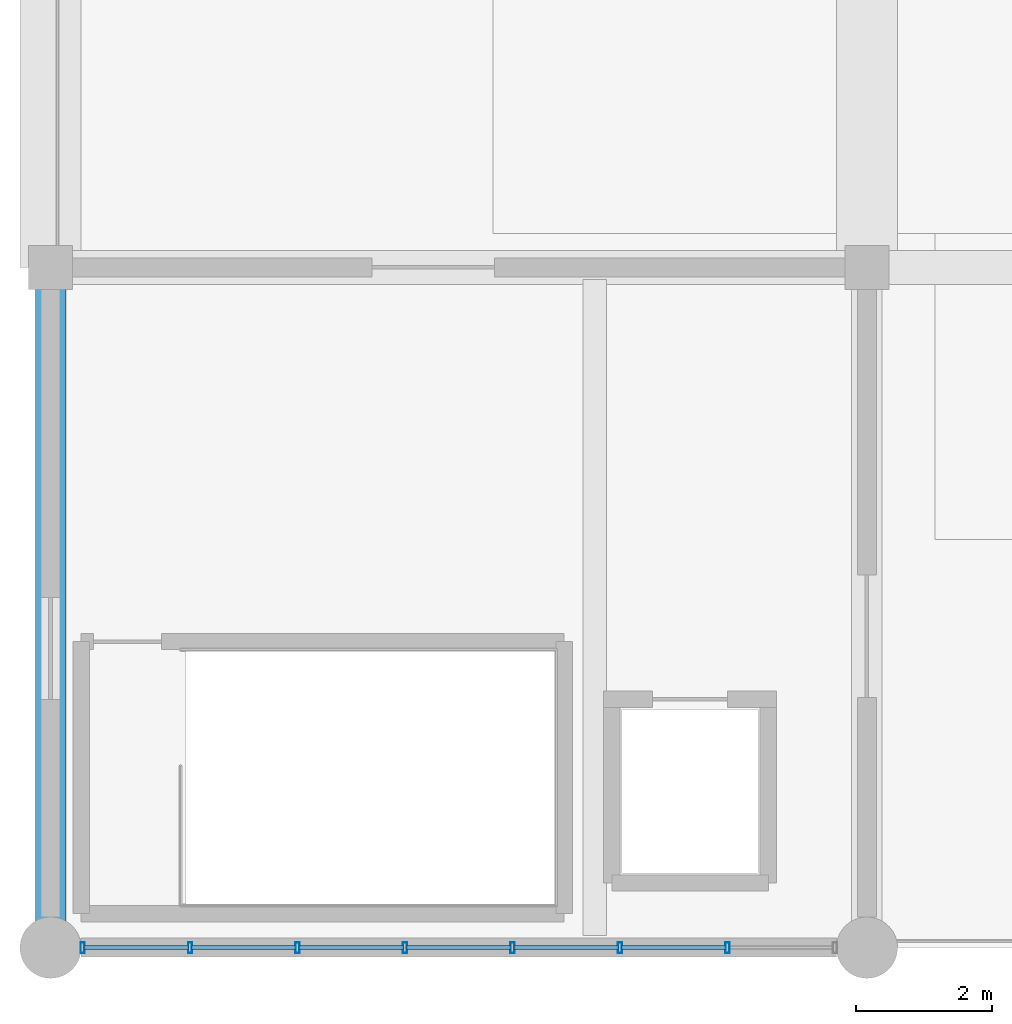
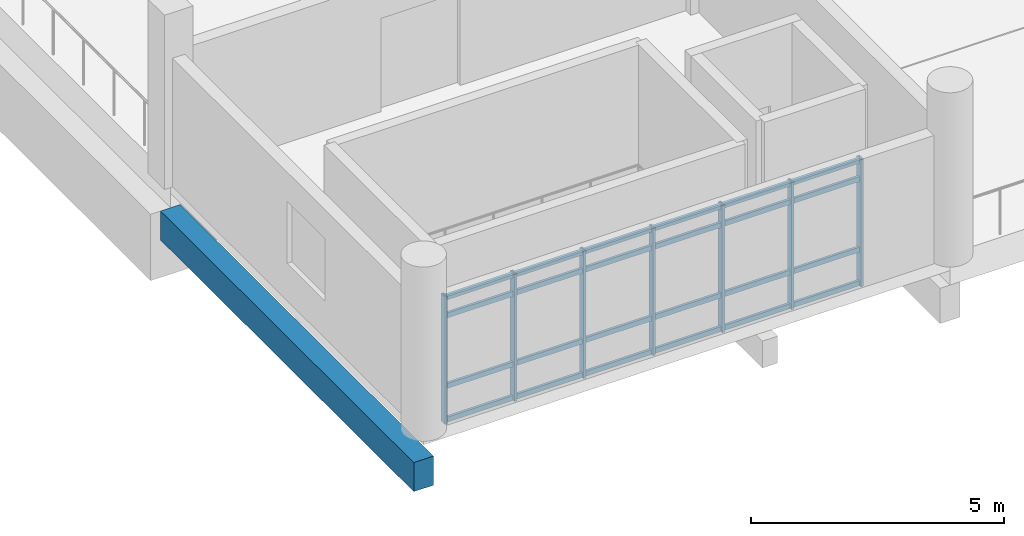
# One storey, part 5 of 111: 31 members, 1 beam, 1 element without a shape of its own.
"""IFC4 building model written with IfcOpenShell, lengths in metres."""

from ifc_helpers import new_model, si_unit, direction, frame, origin, origin_2d, place, context, subcontext, project, spatial, rectangle, hollow_rectangle, extrude, material, layer, layer_set, material_profile, profile_set, type_object, element, aggregate, save


model = new_model("IFC4")

# Units and contexts
model_context = context("Model", 3, precision=1e-05, world=origin(), true_north=direction((0.0, 1.0)))
body_context = subcontext(model_context, "Body", "Model", "MODEL_VIEW")
ifc_project = project(units=[si_unit("LENGTHUNIT", "METRE"), si_unit("AREAUNIT", "SQUARE_METRE"), si_unit("VOLUMEUNIT", "CUBIC_METRE"), si_unit("PLANEANGLEUNIT", "RADIAN"), si_unit("MASSUNIT", "GRAM", prefix="KILO")], contexts=[model_context])

# Site, building, storey
site_placement = place(None, origin())
site = spatial("IfcSite", under=ifc_project, at=site_placement, CompositionType="ELEMENT")
building_placement = place(site_placement, origin())
building = spatial("IfcBuilding", under=site, at=building_placement, Name="Mersad Railyard Sports Hall", CompositionType="ELEMENT")
storey_placement = place(building_placement, frame((0.0, 0.0, 9.0)))
storey = spatial("IfcBuildingStorey", under=building, at=storey_placement, Name="L02", CompositionType="ELEMENT", Elevation=9.0)

# Curtain wall, members
ifc_material_1 = material(Name="Aluminium 6063-T6", Category="aluminium")
ifc_layer = layer(ifc_material_1, 0.159912109375)
ifc_layer_set = layer_set([ifc_layer], Name="Aluminium 6063-T6")
curtain_wall_type = type_object("IfcCurtainWallType", Name="ARC-CW-CW06", PredefinedType="USERDEFINED", material=ifc_layer_set)
curtain_wall_placement = place(storey_placement, origin())
curtain_wall = element("IfcCurtainWall", 1, at=curtain_wall_placement, inside=storey, type_object=curtain_wall_type, Name="Curtain wall CW06-0029", ObjectType="CURTAIN WALL", PredefinedType="USERDEFINED")
ifc_material_profile_1 = material_profile(ifc_material_1, hollow_rectangle(XDim=0.06005859375, YDim=0.159912109375, WallThickness=0.00390625, at=origin_2d()), Name="AL MULLION 60x160x4")
ifc_profile_set_1 = profile_set([ifc_material_profile_1], Name="Aluminium 6063-T6")
member_type_1 = type_object("IfcMemberType", Name="ARC-CW-MUL01", PredefinedType="MULLION", material=ifc_profile_set_1)
member_1_placement = place(storey_placement, frame((16.949951171875, 3.5, -0.02001953125), z_axis=(0.0, 0.0, 1.0), x_axis=(1.0, 0.0, 0.0)))
member_1 = element("IfcMember", 2, at=member_1_placement, type_object=member_type_1, Name="CW06 Mullion 2", PredefinedType="MULLION", context=body_context, shape_type="SweptSolid", body=[
    extrude(hollow_rectangle(XDim=0.06005859375, YDim=0.159912109375, WallThickness=0.00390625, at=origin_2d()), origin(), (0.0, 0.0, 1.0), 3.070068359375),
])
member_2_placement = place(storey_placement, frame((15.3701171875, 3.5, -0.02001953125), z_axis=(0.0, 0.0, 1.0), x_axis=(1.0, 0.0, 0.0)))
member_2 = element("IfcMember", 3, at=member_2_placement, type_object=member_type_1, Name="CW06 Mullion 3", PredefinedType="MULLION", context=body_context, shape_type="SweptSolid", body=[
    extrude(hollow_rectangle(XDim=0.06005859375, YDim=0.159912109375, WallThickness=0.00390625, at=origin_2d()), origin(), (0.0, 0.0, 1.0), 3.070068359375),
])
member_3_placement = place(storey_placement, frame((13.7900390625, 3.5, -0.02001953125), z_axis=(0.0, 0.0, 1.0), x_axis=(1.0, 0.0, 0.0)))
member_3 = element("IfcMember", 4, at=member_3_placement, type_object=member_type_1, Name="CW06 Mullion 4", PredefinedType="MULLION", context=body_context, shape_type="SweptSolid", body=[
    extrude(hollow_rectangle(XDim=0.06005859375, YDim=0.159912109375, WallThickness=0.00390625, at=origin_2d()), origin(), (0.0, 0.0, 1.0), 3.070068359375),
])
member_4_placement = place(storey_placement, frame((12.2099609375, 3.5, -0.02001953125), z_axis=(0.0, 0.0, 1.0), x_axis=(1.0, 0.0, 0.0)))
member_4 = element("IfcMember", 5, at=member_4_placement, type_object=member_type_1, Name="CW06 Mullion 5", PredefinedType="MULLION", context=body_context, shape_type="SweptSolid", body=[
    extrude(hollow_rectangle(XDim=0.06005859375, YDim=0.159912109375, WallThickness=0.00390625, at=origin_2d()), origin(), (0.0, 0.0, 1.0), 3.070068359375),
])
member_5_placement = place(storey_placement, frame((10.6298828125, 3.5, -0.02001953125), z_axis=(0.0, 0.0, 1.0), x_axis=(1.0, 0.0, 0.0)))
member_5 = element("IfcMember", 6, at=member_5_placement, type_object=member_type_1, Name="CW06 Mullion 6", PredefinedType="MULLION", context=body_context, shape_type="SweptSolid", body=[
    extrude(hollow_rectangle(XDim=0.06005859375, YDim=0.159912109375, WallThickness=0.00390625, at=origin_2d()), origin(), (0.0, 0.0, 1.0), 3.070068359375),
])
member_6_placement = place(storey_placement, frame((9.050048828125, 3.5, -0.02001953125), z_axis=(0.0, 0.0, 1.0), x_axis=(1.0, 0.0, 0.0)))
member_6 = element("IfcMember", 7, at=member_6_placement, type_object=member_type_1, Name="CW06 Mullion 7", PredefinedType="MULLION", context=body_context, shape_type="SweptSolid", body=[
    extrude(hollow_rectangle(XDim=0.06005859375, YDim=0.159912109375, WallThickness=0.00390625, at=origin_2d()), origin(), (0.0, 0.0, 1.0), 3.070068359375),
])
member_7_placement = place(storey_placement, frame((7.469970703125, 3.5, -0.02001953125), z_axis=(0.0, 0.0, 1.0), x_axis=(1.0, 0.0, 0.0)))
member_7 = element("IfcMember", 8, at=member_7_placement, type_object=member_type_1, Name="CW06 Mullion 8", PredefinedType="MULLION", context=body_context, shape_type="SweptSolid", body=[
    extrude(hollow_rectangle(XDim=0.06005859375, YDim=0.159912109375, WallThickness=0.00390625, at=origin_2d()), origin(), (0.0, 0.0, 1.0), 3.070068359375),
])
ifc_material_profile_2 = material_profile(ifc_material_1, hollow_rectangle(XDim=0.06005859375, YDim=0.1201171875, WallThickness=0.00390625, at=origin_2d()), Name="AL TRANSOM 60x120x4")
ifc_profile_set_2 = profile_set([ifc_material_profile_2], Name="Aluminium 6063-T6")
member_type_2 = type_object("IfcMemberType", Name="ARC-CW-TRN01", PredefinedType="USERDEFINED", material=ifc_profile_set_2)
member_8_placement = place(storey_placement, frame((16.929931640625, 3.5, 0.0400390625), z_axis=(-1.0, 0.0, 0.0), x_axis=(0.0, -1.0, 0.0)))
member_8 = element("IfcMember", 9, at=member_8_placement, type_object=member_type_2, Name="CW06 Transom 1-2", ObjectType="TRANSOM", PredefinedType="USERDEFINED", context=body_context, shape_type="SweptSolid", body=[
    extrude(hollow_rectangle(XDim=0.06005859375, YDim=0.1201171875, WallThickness=0.00390625, at=origin_2d()), origin(), (0.0, 0.0, 1.0), 1.5400390625),
])
member_9_placement = place(storey_placement, frame((15.35009765625, 3.5, 0.0400390625), z_axis=(-1.0, 0.0, 0.0), x_axis=(0.0, -1.0, 0.0)))
member_9 = element("IfcMember", 10, at=member_9_placement, type_object=member_type_2, Name="CW06 Transom 1-3", ObjectType="TRANSOM", PredefinedType="USERDEFINED", context=body_context, shape_type="SweptSolid", body=[
    extrude(hollow_rectangle(XDim=0.06005859375, YDim=0.1201171875, WallThickness=0.00390625, at=origin_2d()), origin(), (0.0, 0.0, 1.0), 1.5400390625),
])
member_10_placement = place(storey_placement, frame((13.77001953125, 3.5, 0.0400390625), z_axis=(-1.0, 0.0, 0.0), x_axis=(0.0, -1.0, 0.0)))
member_10 = element("IfcMember", 11, at=member_10_placement, type_object=member_type_2, Name="CW06 Transom 1-4", ObjectType="TRANSOM", PredefinedType="USERDEFINED", context=body_context, shape_type="SweptSolid", body=[
    extrude(hollow_rectangle(XDim=0.06005859375, YDim=0.1201171875, WallThickness=0.00390625, at=origin_2d()), origin(), (0.0, 0.0, 1.0), 1.5400390625),
])
member_11_placement = place(storey_placement, frame((12.18994140625, 3.5, 0.0400390625), z_axis=(-1.0, 0.0, 0.0), x_axis=(0.0, -1.0, 0.0)))
member_11 = element("IfcMember", 12, at=member_11_placement, type_object=member_type_2, Name="CW06 Transom 1-5", ObjectType="TRANSOM", PredefinedType="USERDEFINED", context=body_context, shape_type="SweptSolid", body=[
    extrude(hollow_rectangle(XDim=0.06005859375, YDim=0.1201171875, WallThickness=0.00390625, at=origin_2d()), origin(), (0.0, 0.0, 1.0), 1.5400390625),
])
member_12_placement = place(storey_placement, frame((10.610107421875, 3.5, 0.0400390625), z_axis=(-1.0, 0.0, 0.0), x_axis=(0.0, -1.0, 0.0)))
member_12 = element("IfcMember", 13, at=member_12_placement, type_object=member_type_2, Name="CW06 Transom 1-6", ObjectType="TRANSOM", PredefinedType="USERDEFINED", context=body_context, shape_type="SweptSolid", body=[
    extrude(hollow_rectangle(XDim=0.06005859375, YDim=0.1201171875, WallThickness=0.00390625, at=origin_2d()), origin(), (0.0, 0.0, 1.0), 1.5400390625),
])
member_13_placement = place(storey_placement, frame((9.030029296875, 3.5, 0.0400390625), z_axis=(-1.0, 0.0, 0.0), x_axis=(0.0, -1.0, 0.0)))
member_13 = element("IfcMember", 14, at=member_13_placement, type_object=member_type_2, Name="CW06 Transom 1-7", ObjectType="TRANSOM", PredefinedType="USERDEFINED", context=body_context, shape_type="SweptSolid", body=[
    extrude(hollow_rectangle(XDim=0.06005859375, YDim=0.1201171875, WallThickness=0.00390625, at=origin_2d()), origin(), (0.0, 0.0, 1.0), 1.5400390625),
])
member_14_placement = place(storey_placement, frame((16.929931640625, 3.5, 0.85009765625), z_axis=(-1.0, 0.0, 0.0), x_axis=(0.0, -1.0, 0.0)))
member_14 = element("IfcMember", 15, at=member_14_placement, type_object=member_type_2, Name="CW06 Transom 2-2", ObjectType="TRANSOM", PredefinedType="USERDEFINED", context=body_context, shape_type="SweptSolid", body=[
    extrude(hollow_rectangle(XDim=0.06005859375, YDim=0.1201171875, WallThickness=0.00390625, at=origin_2d()), origin(), (0.0, 0.0, 1.0), 1.5400390625),
])
member_15_placement = place(storey_placement, frame((15.35009765625, 3.5, 0.85009765625), z_axis=(-1.0, 0.0, 0.0), x_axis=(0.0, -1.0, 0.0)))
member_15 = element("IfcMember", 16, at=member_15_placement, type_object=member_type_2, Name="CW06 Transom 2-3", ObjectType="TRANSOM", PredefinedType="USERDEFINED", context=body_context, shape_type="SweptSolid", body=[
    extrude(hollow_rectangle(XDim=0.06005859375, YDim=0.1201171875, WallThickness=0.00390625, at=origin_2d()), origin(), (0.0, 0.0, 1.0), 1.5400390625),
])
member_16_placement = place(storey_placement, frame((13.77001953125, 3.5, 0.85009765625), z_axis=(-1.0, 0.0, 0.0), x_axis=(0.0, -1.0, 0.0)))
member_16 = element("IfcMember", 17, at=member_16_placement, type_object=member_type_2, Name="CW06 Transom 2-4", ObjectType="TRANSOM", PredefinedType="USERDEFINED", context=body_context, shape_type="SweptSolid", body=[
    extrude(hollow_rectangle(XDim=0.06005859375, YDim=0.1201171875, WallThickness=0.00390625, at=origin_2d()), origin(), (0.0, 0.0, 1.0), 1.5400390625),
])
member_17_placement = place(storey_placement, frame((12.18994140625, 3.5, 0.85009765625), z_axis=(-1.0, 0.0, 0.0), x_axis=(0.0, -1.0, 0.0)))
member_17 = element("IfcMember", 18, at=member_17_placement, type_object=member_type_2, Name="CW06 Transom 2-5", ObjectType="TRANSOM", PredefinedType="USERDEFINED", context=body_context, shape_type="SweptSolid", body=[
    extrude(hollow_rectangle(XDim=0.06005859375, YDim=0.1201171875, WallThickness=0.00390625, at=origin_2d()), origin(), (0.0, 0.0, 1.0), 1.5400390625),
])
member_18_placement = place(storey_placement, frame((10.610107421875, 3.5, 0.85009765625), z_axis=(-1.0, 0.0, 0.0), x_axis=(0.0, -1.0, 0.0)))
member_18 = element("IfcMember", 19, at=member_18_placement, type_object=member_type_2, Name="CW06 Transom 2-6", ObjectType="TRANSOM", PredefinedType="USERDEFINED", context=body_context, shape_type="SweptSolid", body=[
    extrude(hollow_rectangle(XDim=0.06005859375, YDim=0.1201171875, WallThickness=0.00390625, at=origin_2d()), origin(), (0.0, 0.0, 1.0), 1.5400390625),
])
member_19_placement = place(storey_placement, frame((9.030029296875, 3.5, 0.85009765625), z_axis=(-1.0, 0.0, 0.0), x_axis=(0.0, -1.0, 0.0)))
member_19 = element("IfcMember", 20, at=member_19_placement, type_object=member_type_2, Name="CW06 Transom 2-7", ObjectType="TRANSOM", PredefinedType="USERDEFINED", context=body_context, shape_type="SweptSolid", body=[
    extrude(hollow_rectangle(XDim=0.06005859375, YDim=0.1201171875, WallThickness=0.00390625, at=origin_2d()), origin(), (0.0, 0.0, 1.0), 1.5400390625),
])
member_20_placement = place(storey_placement, frame((16.929931640625, 3.5, 2.550048828125), z_axis=(-1.0, 0.0, 0.0), x_axis=(0.0, -1.0, 0.0)))
member_20 = element("IfcMember", 21, at=member_20_placement, type_object=member_type_2, Name="CW06 Transom 3-2", ObjectType="TRANSOM", PredefinedType="USERDEFINED", context=body_context, shape_type="SweptSolid", body=[
    extrude(hollow_rectangle(XDim=0.06005859375, YDim=0.1201171875, WallThickness=0.00390625, at=origin_2d()), origin(), (0.0, 0.0, 1.0), 1.5400390625),
])
member_21_placement = place(storey_placement, frame((15.35009765625, 3.5, 2.550048828125), z_axis=(-1.0, 0.0, 0.0), x_axis=(0.0, -1.0, 0.0)))
member_21 = element("IfcMember", 22, at=member_21_placement, type_object=member_type_2, Name="CW06 Transom 3-3", ObjectType="TRANSOM", PredefinedType="USERDEFINED", context=body_context, shape_type="SweptSolid", body=[
    extrude(hollow_rectangle(XDim=0.06005859375, YDim=0.1201171875, WallThickness=0.00390625, at=origin_2d()), origin(), (0.0, 0.0, 1.0), 1.5400390625),
])
member_22_placement = place(storey_placement, frame((13.77001953125, 3.5, 2.550048828125), z_axis=(-1.0, 0.0, 0.0), x_axis=(0.0, -1.0, 0.0)))
member_22 = element("IfcMember", 23, at=member_22_placement, type_object=member_type_2, Name="CW06 Transom 3-4", ObjectType="TRANSOM", PredefinedType="USERDEFINED", context=body_context, shape_type="SweptSolid", body=[
    extrude(hollow_rectangle(XDim=0.06005859375, YDim=0.1201171875, WallThickness=0.00390625, at=origin_2d()), origin(), (0.0, 0.0, 1.0), 1.5400390625),
])
member_23_placement = place(storey_placement, frame((12.18994140625, 3.5, 2.550048828125), z_axis=(-1.0, 0.0, 0.0), x_axis=(0.0, -1.0, 0.0)))
member_23 = element("IfcMember", 24, at=member_23_placement, type_object=member_type_2, Name="CW06 Transom 3-5", ObjectType="TRANSOM", PredefinedType="USERDEFINED", context=body_context, shape_type="SweptSolid", body=[
    extrude(hollow_rectangle(XDim=0.06005859375, YDim=0.1201171875, WallThickness=0.00390625, at=origin_2d()), origin(), (0.0, 0.0, 1.0), 1.5400390625),
])
member_24_placement = place(storey_placement, frame((10.610107421875, 3.5, 2.550048828125), z_axis=(-1.0, 0.0, 0.0), x_axis=(0.0, -1.0, 0.0)))
member_24 = element("IfcMember", 25, at=member_24_placement, type_object=member_type_2, Name="CW06 Transom 3-6", ObjectType="TRANSOM", PredefinedType="USERDEFINED", context=body_context, shape_type="SweptSolid", body=[
    extrude(hollow_rectangle(XDim=0.06005859375, YDim=0.1201171875, WallThickness=0.00390625, at=origin_2d()), origin(), (0.0, 0.0, 1.0), 1.5400390625),
])
member_25_placement = place(storey_placement, frame((9.030029296875, 3.5, 2.550048828125), z_axis=(-1.0, 0.0, 0.0), x_axis=(0.0, -1.0, 0.0)))
member_25 = element("IfcMember", 26, at=member_25_placement, type_object=member_type_2, Name="CW06 Transom 3-7", ObjectType="TRANSOM", PredefinedType="USERDEFINED", context=body_context, shape_type="SweptSolid", body=[
    extrude(hollow_rectangle(XDim=0.06005859375, YDim=0.1201171875, WallThickness=0.00390625, at=origin_2d()), origin(), (0.0, 0.0, 1.0), 1.5400390625),
])
member_26_placement = place(storey_placement, frame((16.929931640625, 3.5, 2.989990234375), z_axis=(-1.0, 0.0, 0.0), x_axis=(0.0, -1.0, 0.0)))
member_26 = element("IfcMember", 27, at=member_26_placement, type_object=member_type_2, Name="CW06 Transom 4-2", ObjectType="TRANSOM", PredefinedType="USERDEFINED", context=body_context, shape_type="SweptSolid", body=[
    extrude(hollow_rectangle(XDim=0.06005859375, YDim=0.1201171875, WallThickness=0.00390625, at=origin_2d()), origin(), (0.0, 0.0, 1.0), 1.5400390625),
])
member_27_placement = place(storey_placement, frame((15.35009765625, 3.5, 2.989990234375), z_axis=(-1.0, 0.0, 0.0), x_axis=(0.0, -1.0, 0.0)))
member_27 = element("IfcMember", 28, at=member_27_placement, type_object=member_type_2, Name="CW06 Transom 4-3", ObjectType="TRANSOM", PredefinedType="USERDEFINED", context=body_context, shape_type="SweptSolid", body=[
    extrude(hollow_rectangle(XDim=0.06005859375, YDim=0.1201171875, WallThickness=0.00390625, at=origin_2d()), origin(), (0.0, 0.0, 1.0), 1.5400390625),
])
member_28_placement = place(storey_placement, frame((13.77001953125, 3.5, 2.989990234375), z_axis=(-1.0, 0.0, 0.0), x_axis=(0.0, -1.0, 0.0)))
member_28 = element("IfcMember", 29, at=member_28_placement, type_object=member_type_2, Name="CW06 Transom 4-4", ObjectType="TRANSOM", PredefinedType="USERDEFINED", context=body_context, shape_type="SweptSolid", body=[
    extrude(hollow_rectangle(XDim=0.06005859375, YDim=0.1201171875, WallThickness=0.00390625, at=origin_2d()), origin(), (0.0, 0.0, 1.0), 1.5400390625),
])
member_29_placement = place(storey_placement, frame((12.18994140625, 3.5, 2.989990234375), z_axis=(-1.0, 0.0, 0.0), x_axis=(0.0, -1.0, 0.0)))
member_29 = element("IfcMember", 30, at=member_29_placement, type_object=member_type_2, Name="CW06 Transom 4-5", ObjectType="TRANSOM", PredefinedType="USERDEFINED", context=body_context, shape_type="SweptSolid", body=[
    extrude(hollow_rectangle(XDim=0.06005859375, YDim=0.1201171875, WallThickness=0.00390625, at=origin_2d()), origin(), (0.0, 0.0, 1.0), 1.5400390625),
])
member_30_placement = place(storey_placement, frame((10.610107421875, 3.5, 2.989990234375), z_axis=(-1.0, 0.0, 0.0), x_axis=(0.0, -1.0, 0.0)))
member_30 = element("IfcMember", 31, at=member_30_placement, type_object=member_type_2, Name="CW06 Transom 4-6", ObjectType="TRANSOM", PredefinedType="USERDEFINED", context=body_context, shape_type="SweptSolid", body=[
    extrude(hollow_rectangle(XDim=0.06005859375, YDim=0.1201171875, WallThickness=0.00390625, at=origin_2d()), origin(), (0.0, 0.0, 1.0), 1.5400390625),
])
member_31_placement = place(storey_placement, frame((9.030029296875, 3.5, 2.989990234375), z_axis=(-1.0, 0.0, 0.0), x_axis=(0.0, -1.0, 0.0)))
member_31 = element("IfcMember", 32, at=member_31_placement, type_object=member_type_2, Name="CW06 Transom 4-7", ObjectType="TRANSOM", PredefinedType="USERDEFINED", context=body_context, shape_type="SweptSolid", body=[
    extrude(hollow_rectangle(XDim=0.06005859375, YDim=0.1201171875, WallThickness=0.00390625, at=origin_2d()), origin(), (0.0, 0.0, 1.0), 1.5400390625),
])
aggregate(curtain_wall, [member_1, member_2, member_3, member_4, member_5, member_6, member_7, member_8, member_9, member_10, member_11, member_12, member_13, member_14, member_15, member_16, member_17, member_18, member_19, member_20, member_21, member_22, member_23, member_24, member_25, member_26, member_27, member_28, member_29, member_30, member_31])

# Beam
ifc_material_2 = material(Name="Architectural concrete C40/50", Category="concrete")
ifc_material_profile_3 = material_profile(ifc_material_2, rectangle(XDim=0.449951171875, YDim=0.699951171875, at=origin_2d()), Name="RC 450x700")
ifc_profile_set_3 = profile_set([ifc_material_profile_3], Name="Architectural concrete C40/50")
beam_type = type_object("IfcBeamType", Name="STR-BM-SP01", PredefinedType="SPANDREL", material=ifc_profile_set_3)
beam_placement = place(storey_placement, frame((7.0, 3.5, -1.10009765625), z_axis=(0.0, 1.0, 0.0), x_axis=(-1.0, 0.0, 0.0)))
element("IfcBeam", 33, at=beam_placement, inside=storey, type_object=beam_type, Name="Beam SP01-0431", PredefinedType="SPANDREL", context=body_context, shape_type="SweptSolid", body=[
    extrude(rectangle(XDim=0.449951171875, YDim=0.699951171875, at=origin_2d()), origin(), (0.0, 0.0, 1.0), 10.0),
])

save(model, "model.ifc")
